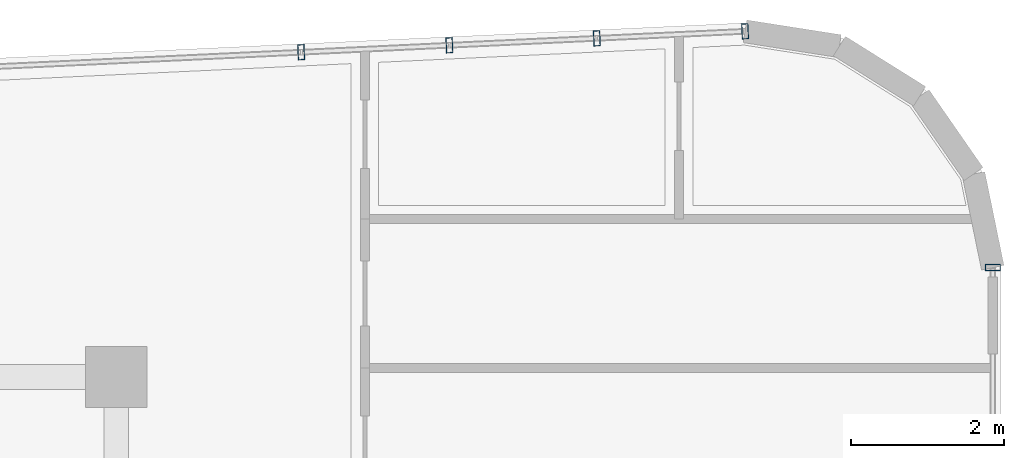
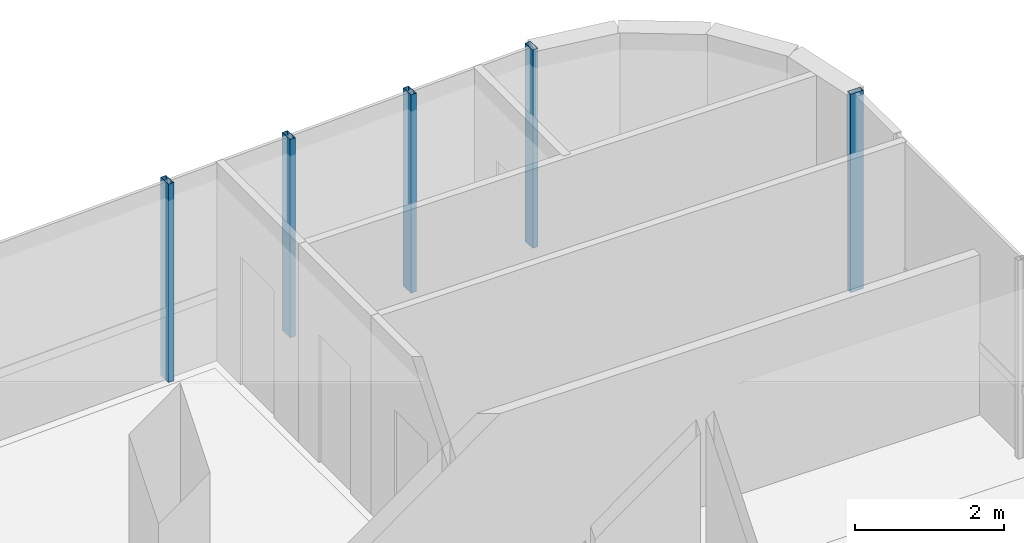
# One storey, part 12 of 19: 5 members, 2 elements without a shape of their own.
"""IFC4 building model written with IfcOpenShell, lengths in metres."""

from ifc_helpers import new_model, si_unit, direction, frame, origin, origin_2d, place, context, subcontext, project, spatial, hollow_rectangle, extrude, source, transform, mapped, material, material_profile, profile_set, type_object, element, aggregate, save


model = new_model("IFC4")

# Units and contexts
model_context = context("Model", 3, precision=1e-05, world=origin(), true_north=direction((0.0, 1.0)))
body_context = subcontext(model_context, "Body", "Model", "MODEL_VIEW")
ifc_project = project(units=[si_unit("LENGTHUNIT", "METRE"), si_unit("AREAUNIT", "SQUARE_METRE"), si_unit("VOLUMEUNIT", "CUBIC_METRE"), si_unit("PLANEANGLEUNIT", "RADIAN"), si_unit("MASSUNIT", "GRAM", prefix="KILO")], contexts=[model_context])

# Site, building, storey
site_placement = place(None, origin())
site = spatial("IfcSite", under=ifc_project, at=site_placement, CompositionType="ELEMENT")
building_placement = place(site_placement, origin())
building = spatial("IfcBuilding", under=site, at=building_placement, Name="Valdorenza Pilgrim Sanctuary Tower", CompositionType="ELEMENT")
storey_placement = place(building_placement, frame((0.0, 0.0, 269.5)))
storey = spatial("IfcBuildingStorey", under=building, at=storey_placement, Name="L70", CompositionType="ELEMENT", Elevation=269.5)

# Curtain wall, members
ifc_material_1 = material(Name="Curtain-wall IGU glazing", Category="glass")
curtain_wall_type = type_object("IfcCurtainWallType", Name="CW-SYS-02", PredefinedType="NOTDEFINED", material=ifc_material_1)
curtain_wall_1_placement = place(storey_placement, origin())
curtain_wall_1 = element("IfcCurtainWall", 1, at=curtain_wall_1_placement, inside=storey, type_object=curtain_wall_type, Name="L70 Curtain Wall CW-L70-1-6", PredefinedType="NOTDEFINED")
ifc_material_2 = material(Name="Anodised aluminium AW-6060", Category="aluminium")
ifc_material_profile = material_profile(ifc_material_2, hollow_rectangle(XDim=0.0849609375, YDim=0.199951171875, WallThickness=0.0048828125, at=origin_2d()), Name="ALU-M 200x85x5")
ifc_profile_set = profile_set([ifc_material_profile], Name="Anodised aluminium AW-6060")
member_type = type_object("IfcMemberType", Name="CW-MUL-02", PredefinedType="MULLION", material=ifc_profile_set)
shared_shape = source(origin(), body_context, "Body", "SweptSolid", [
    extrude(hollow_rectangle(XDim=0.0849609375, YDim=0.199951171875, WallThickness=0.0048828125, at=origin_2d()), origin(), (0.0, 0.0, 1.0), 3.260009765625),
])
member_1_placement = place(storey_placement, frame((-9.976318359375, 19.057373046875, 0.0), z_axis=(0.0, 0.0, 1.0), x_axis=(0.998890696972, 0.047089016785, 0.0)))
member_1 = element("IfcMember", 2, at=member_1_placement, type_object=member_type, Name="CW-L70-1-6 Mullion 4", PredefinedType="MULLION", context=body_context, shape_type="MappedRepresentation", body=[
    mapped(shared_shape, transform((0.0, 0.0, 0.0), x_axis=(1.0, 0.0, 0.0), y_axis=(0.0, 1.0, 0.0), z_axis=(0.0, 0.0, 1.0), scale=1.0)),
])
member_2_placement = place(storey_placement, frame((-4.15673828125, 19.331787109375, 0.0), z_axis=(0.0, 0.0, 1.0), x_axis=(0.998890696972, 0.047089016785, 0.0)))
member_2 = element("IfcMember", 3, at=member_2_placement, type_object=member_type, Name="CW-L70-1-6 Mullion 5", PredefinedType="MULLION", context=body_context, shape_type="MappedRepresentation", body=[
    mapped(shared_shape, transform((0.0, 0.0, 0.0), x_axis=(1.0, 0.0, 0.0), y_axis=(0.0, 1.0, 0.0), z_axis=(0.0, 0.0, 1.0), scale=1.0)),
])

# Curtain wall, member
curtain_wall_2_placement = place(storey_placement, origin())
curtain_wall_2 = element("IfcCurtainWall", 4, at=curtain_wall_2_placement, inside=storey, type_object=curtain_wall_type, Name="L70 Curtain Wall CW-L70-1-11", PredefinedType="NOTDEFINED")
member_3_placement = place(storey_placement, frame((-0.909912109375, 16.234375, 0.0), z_axis=(0.0, 0.0, 1.0), x_axis=(0.0, -1.0, 0.0)))
member_3 = element("IfcMember", 5, at=member_3_placement, type_object=member_type, Name="CW-L70-1-11 Mullion 1", PredefinedType="MULLION", context=body_context, shape_type="MappedRepresentation", body=[
    mapped(shared_shape, transform((0.0, 0.0, 0.0), x_axis=(1.0, 0.0, 0.0), y_axis=(0.0, 1.0, 0.0), z_axis=(0.0, 0.0, 1.0), scale=1.0)),
])
aggregate(curtain_wall_2, [member_3])

# Member
member_4_placement = place(storey_placement, frame((-8.033203125, 19.14892578125, 0.0), z_axis=(0.0, 0.0, 1.0), x_axis=(0.998890696972, 0.047089016785, 0.0)))
member_4 = element("IfcMember", 6, at=member_4_placement, type_object=member_type, Name="CW-L70-1-6 Sub-Mullion 75-1", PredefinedType="MULLION", context=body_context, shape_type="MappedRepresentation", body=[
    mapped(shared_shape, transform((0.0, 0.0, 0.0), x_axis=(1.0, 0.0, 0.0), y_axis=(0.0, 1.0, 0.0), z_axis=(0.0, 0.0, 1.0), scale=1.0)),
])

member_5_placement = place(storey_placement, frame((-6.099853515625, 19.239990234375, 0.0), z_axis=(0.0, 0.0, 1.0), x_axis=(0.998890696972, 0.047089016785, 0.0)))
member_5 = element("IfcMember", 7, at=member_5_placement, type_object=member_type, Name="CW-L70-1-6 Sub-Mullion 75-2", PredefinedType="MULLION", context=body_context, shape_type="MappedRepresentation", body=[
    mapped(shared_shape, transform((0.0, 0.0, 0.0), x_axis=(1.0, 0.0, 0.0), y_axis=(0.0, 1.0, 0.0), z_axis=(0.0, 0.0, 1.0), scale=1.0)),
])

aggregate(curtain_wall_1, [member_1, member_2, member_4, member_5])

save(model, "model.ifc")
